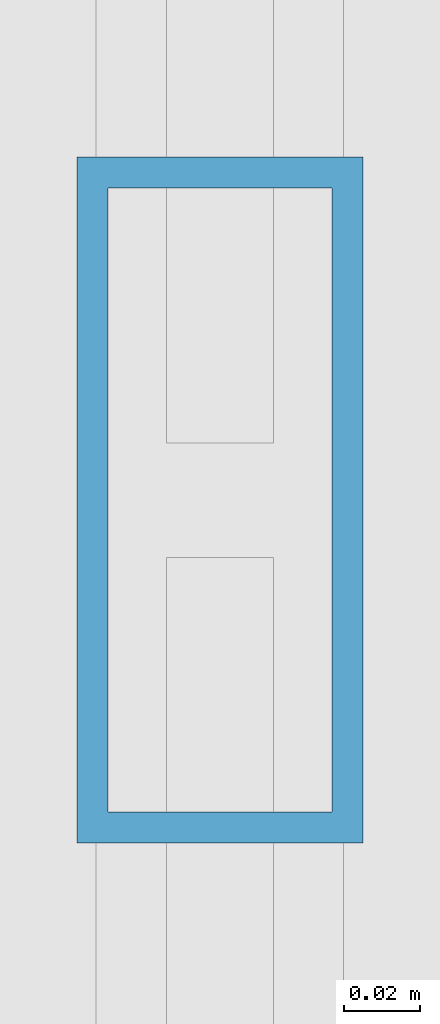
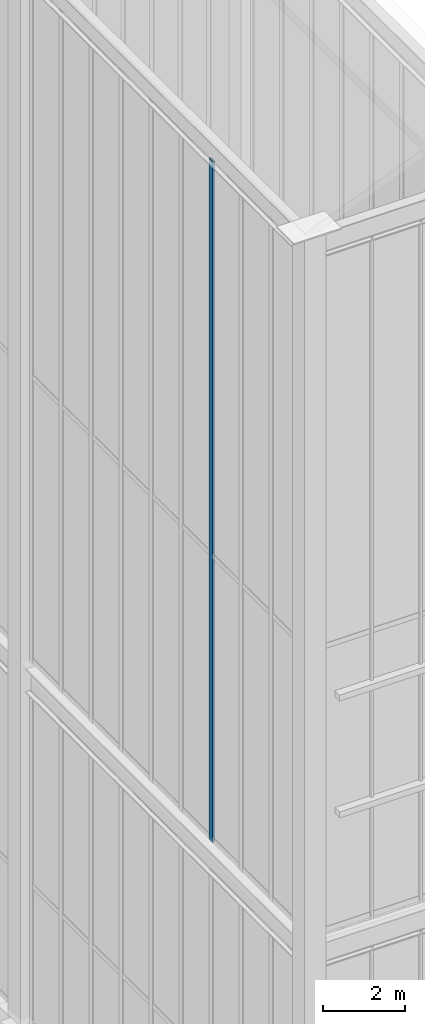
# One storey, part 52 of 135: 1 member, 1 element without a shape of its own.
"""IFC4 building model written with IfcOpenShell, lengths in metres."""

from ifc_helpers import new_model, si_unit, direction, frame, origin, origin_2d, place, context, subcontext, project, spatial, hollow_rectangle, extrude, source, transform, mapped, material, layer, layer_set, material_profile, profile_set, type_object, element, aggregate, save


model = new_model("IFC4")

# Units and contexts
model_context = context("Model", 3, precision=1e-05, world=origin(), true_north=direction((0.0, 1.0)))
body_context = subcontext(model_context, "Body", "Model", "MODEL_VIEW")
ifc_project = project(units=[si_unit("LENGTHUNIT", "METRE"), si_unit("AREAUNIT", "SQUARE_METRE"), si_unit("VOLUMEUNIT", "CUBIC_METRE"), si_unit("PLANEANGLEUNIT", "RADIAN"), si_unit("MASSUNIT", "GRAM", prefix="KILO")], contexts=[model_context])

# Site, building, storey
site_placement = place(None, origin())
site = spatial("IfcSite", under=ifc_project, at=site_placement, CompositionType="ELEMENT")
building_placement = place(site_placement, origin())
building = spatial("IfcBuilding", under=site, at=building_placement, Name="Giltprow Tower", CompositionType="ELEMENT")
storey_placement = place(building_placement, frame((0.0, 0.0, 352.699951171875)))
storey = spatial("IfcBuildingStorey", under=building, at=storey_placement, Name="L92", CompositionType="ELEMENT", Elevation=352.699951171875)

# Curtain wall, member
ifc_material = material(Name="Anodized bronze", Category="metal")
ifc_layer = layer(ifc_material, 0.179931640625, Name="Anodized bronze")
ifc_layer_set = layer_set([ifc_layer], Name="Anodized bronze")
curtain_wall_type = type_object("IfcCurtainWallType", Name="CW-CROWN-LANTERN", PredefinedType="NOTDEFINED", material=ifc_layer_set)
curtain_wall_placement = place(storey_placement, origin())
curtain_wall = element("IfcCurtainWall", 1, at=curtain_wall_placement, inside=storey, type_object=curtain_wall_type, Name="Crown East Upper Lantern Glazing 6", PredefinedType="NOTDEFINED")
ifc_material_profile = material_profile(ifc_material, hollow_rectangle(XDim=0.074951171875, YDim=0.179931640625, WallThickness=0.008056640625, at=origin_2d()), Name="RHS 180x75x8")
ifc_profile_set = profile_set([ifc_material_profile], Name="Anodized bronze")
member_type = type_object("IfcMemberType", Name="CW-MULLION-180x75", PredefinedType="MULLION", material=ifc_profile_set)
shared_shape = source(origin(), body_context, "Body", "SweptSolid", [
    extrude(hollow_rectangle(XDim=0.074951171875, YDim=0.179931640625, WallThickness=0.008056640625, at=origin_2d()), origin(), (0.0, 0.0, 1.0), 20.406005859375),
])
member_placement = place(storey_placement, frame((44.300048828125, 28.26708984375, 17.25), z_axis=(0.0, 0.0, 1.0), x_axis=(1.0, 0.0, 0.0)))
member = element("IfcMember", 2, at=member_placement, type_object=member_type, Name="Crown East Upper Lantern Glazing 6 Mullion 7", PredefinedType="MULLION", context=body_context, shape_type="MappedRepresentation", body=[
    mapped(shared_shape, transform((0.0, 0.0, 0.0), x_axis=(1.0, 0.0, 0.0), y_axis=(0.0, 1.0, 0.0), z_axis=(0.0, 0.0, 1.0), scale=1.0)),
])
aggregate(curtain_wall, [member])

save(model, "model.ifc")
